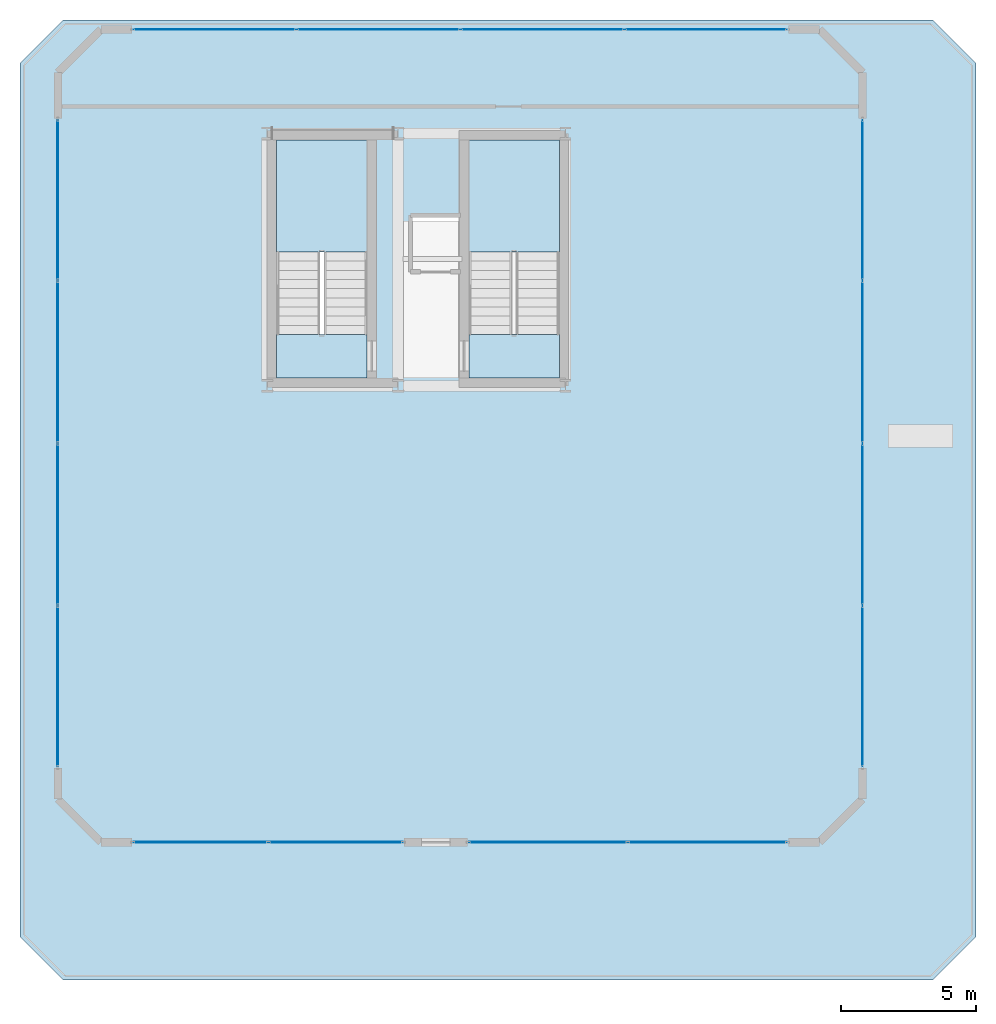
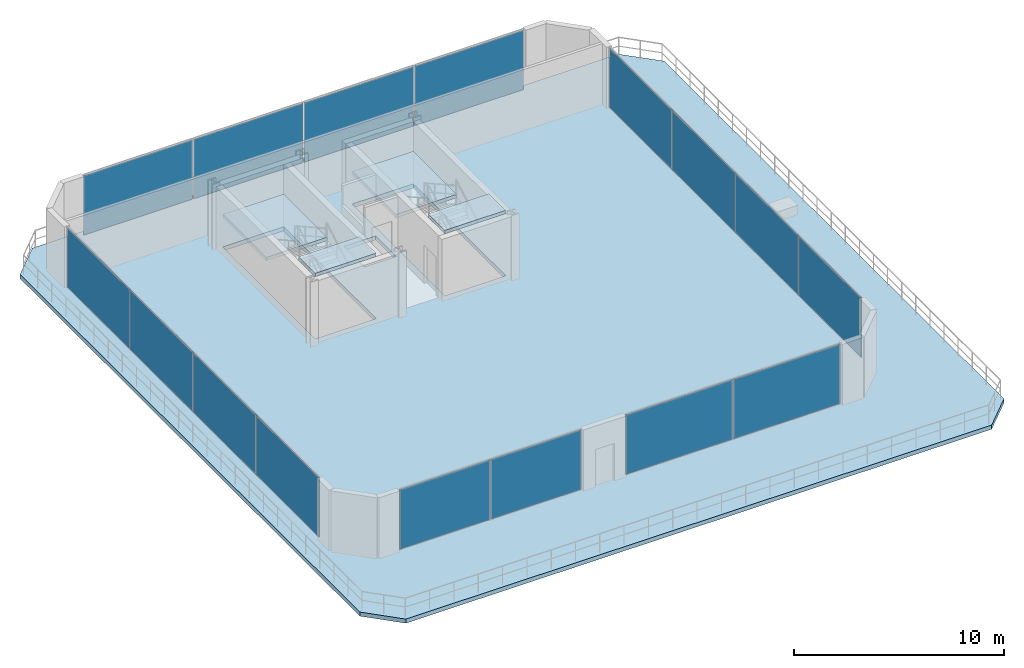
# One storey, part 15 of 19: 16 plates, 5 slabs, 7 elements without a shape of their own.
"""IFC4 building model written with IfcOpenShell, lengths in metres."""

import ifcopenshell
import ifcopenshell.guid

model = None  # the IFC model being written
_history = None  # IfcOwnerHistory: only IFC2X3 demands one
_inside = {}  # id of a spatial element -> (the spatial element, [elements in it])
_under = {}  # id of a project, library or spatial element -> (it, [spatial elements below it])
_declared = {}  # id of a project -> (the project, [libraries it declares])
_typed = {}  # id of a type object -> (the type object, [elements of that type])
_made_of = {}  # id of a material, layer set ... -> (it, [elements and type objects made of it])


def new_model(schema):
    """Start an empty IFC model of exactly this schema.

    Asked for "IFC4X3", IfcOpenShell would pick the latest addendum, in which some entities
    have other attributes; the version numbers below select the first issue.
    IFC2X3 requires an IfcOwnerHistory on every rooted entity: one is made here for all.
    """
    global model, _history
    if schema == "IFC4X3":
        model = ifcopenshell.file(schema_version=(4, 3, 0, 0))
    else:
        model = ifcopenshell.file(schema=schema)
    _inside.clear()
    _under.clear()
    _declared.clear()
    _typed.clear()
    _made_of.clear()
    _history = None
    if model.schema == "IFC2X3":
        org = make("IfcOrganization", Name="unknown")
        user = make(
            "IfcPersonAndOrganization",
            ThePerson=make("IfcPerson", FamilyName="unknown"),
            TheOrganization=org,
        )
        app = make(
            "IfcApplication",
            ApplicationDeveloper=org,
            Version="unknown",
            ApplicationFullName="unknown",
            ApplicationIdentifier="unknown",
        )
        _history = make(
            "IfcOwnerHistory",
            OwningUser=user,
            OwningApplication=app,
            ChangeAction="ADDED",
            CreationDate=0,
        )
    return model


def make(cls, **values):
    """One entity of the class cls with the attributes given. An attribute that is None is left unset."""
    return model.create_entity(
        cls, **{name: value for name, value in values.items() if value is not None}
    )


def rooted(cls, **values):
    """An entity with a GlobalId (a new one), such as an element, a storey or a relation."""
    return make(cls, GlobalId=ifcopenshell.guid.new(), OwnerHistory=_history, **values)


def si_unit(unit_type, name, prefix=None):
    """IfcSIUnit, for example si_unit("LENGTHUNIT", "METRE", prefix="MILLI")."""
    return make("IfcSIUnit", UnitType=unit_type, Prefix=prefix, Name=name)


def assignment(units):
    """IfcUnitAssignment: the units of a project."""
    return None if units is None else make("IfcUnitAssignment", Units=units)


def point(xyz):
    """IfcCartesianPoint."""
    return None if xyz is None else make("IfcCartesianPoint", Coordinates=xyz)


def direction(xyz):
    """IfcDirection."""
    return None if xyz is None else make("IfcDirection", DirectionRatios=xyz)


def frame(location, z_axis=None, x_axis=None):
    """IfcAxis2Placement3D, a coordinate frame: its origin and axes. An axis left out is left unset."""
    return make(
        "IfcAxis2Placement3D",
        Location=point(location),
        Axis=direction(z_axis),
        RefDirection=direction(x_axis),
    )


def frame_2d(location, x_axis=None):
    """IfcAxis2Placement2D, a coordinate frame in the plane: its origin and x axis."""
    return make(
        "IfcAxis2Placement2D", Location=point(location), RefDirection=direction(x_axis)
    )


def origin():
    """The frame at (0, 0, 0) with its axes left unset."""
    return frame((0.0, 0.0, 0.0))


def origin_2d():
    """The frame at (0, 0) in the plane with its x axis left unset."""
    return frame_2d((0.0, 0.0))


def place(relative_to, where):
    """IfcLocalPlacement: puts the frame where relative to a parent placement (None: the world)."""
    return make(
        "IfcLocalPlacement", PlacementRelTo=relative_to, RelativePlacement=where
    )


def context(
    kind, dimensions, precision=None, world=None, true_north=None, identifier=None
):
    """IfcGeometricRepresentationContext, for example the 3D "Model" context."""
    return make(
        "IfcGeometricRepresentationContext",
        ContextIdentifier=identifier,
        ContextType=kind,
        CoordinateSpaceDimension=dimensions,
        Precision=precision,
        WorldCoordinateSystem=world,
        TrueNorth=true_north,
    )


def subcontext(parent, identifier, kind, view, scale=None):
    """IfcGeometricRepresentationSubContext, for example "Body" below "Model"."""
    return make(
        "IfcGeometricRepresentationSubContext",
        ContextIdentifier=identifier,
        ContextType=kind,
        ParentContext=parent,
        TargetScale=scale,
        TargetView=view,
    )


def project(units=None, contexts=None):
    """IfcProject with its units and contexts."""
    return rooted(
        "IfcProject",
        Name="project",
        RepresentationContexts=contexts,
        UnitsInContext=assignment(units),
    )


def spatial(cls, under=None, at=None, **own):
    """A site, building, storey or space (cls), placed at a placement, below another one or the project."""
    s = rooted(cls, ObjectPlacement=at, **own)
    if under is not None:
        _under.setdefault(under.id(), (under, []))[1].append(s)
    return s


def polyline(points):
    """IfcPolyline through the points."""
    return make("IfcPolyline", Points=[point(p) for p in points])


def profile(cls, at=None, kind="AREA", **sizes):
    """A parametric profile (cls). Its sizes go by their IFC names, for example OverallWidth=200.0."""
    return make(cls, ProfileType=kind, Position=at, **sizes)


def rectangle(**sizes):
    """IfcRectangleProfileDef."""
    return profile("IfcRectangleProfileDef", **sizes)


def outline(outer, holes=None, kind="AREA"):
    """IfcArbitraryClosedProfileDef: a profile drawn as a closed curve; with holes, ...WithVoids."""
    if holes is None:
        return make("IfcArbitraryClosedProfileDef", ProfileType=kind, OuterCurve=outer)
    return make(
        "IfcArbitraryProfileDefWithVoids",
        ProfileType=kind,
        OuterCurve=outer,
        InnerCurves=holes,
    )


def extrude(swept, where, along, depth):
    """IfcExtrudedAreaSolid: the profile swept, set in the frame where, extruded along a direction by depth."""
    return make(
        "IfcExtrudedAreaSolid",
        SweptArea=swept,
        Position=where,
        ExtrudedDirection=direction(along),
        Depth=depth,
    )


def shape(context_of_items, identifier, shape_type, items):
    """IfcShapeRepresentation: the items that make up one representation, for example the "Body"."""
    return make(
        "IfcShapeRepresentation",
        ContextOfItems=context_of_items,
        RepresentationIdentifier=identifier,
        RepresentationType=shape_type,
        Items=items,
    )


def material(Name=None, Category=None):
    """IfcMaterial."""
    return make("IfcMaterial", Name=Name, Category=Category)


def layer(
    of_material, thickness, ventilated=None, Name=None, Category=None, Priority=None
):
    """IfcMaterialLayer: one layer of a wall or slab, of a material (None: an air gap)."""
    return make(
        "IfcMaterialLayer",
        Material=of_material,
        LayerThickness=thickness,
        IsVentilated=ventilated,
        Name=Name,
        Category=Category,
        Priority=Priority,
    )


def layer_set(layers, Name=None):
    """IfcMaterialLayerSet."""
    return make("IfcMaterialLayerSet", MaterialLayers=layers, LayerSetName=Name)


def made_of(thing, what):
    """Note that an element or type object is made of a material, layer set ...; save() writes the relation."""
    if what is not None:
        _made_of.setdefault(what.id(), (what, []))[1].append(thing)
    return thing


def type_object(cls, material=None, **own):
    """A type object (cls), such as IfcWallType, which elements share."""
    return made_of(rooted(cls, **own), material)


def element(
    cls,
    number,
    at=None,
    inside=None,
    cuts=None,
    type_object=None,
    material=None,
    context=None,
    identifier="Body",
    shape_type=None,
    held_by="IfcProductDefinitionShape",
    body=None,
    shapes=None,
    **own,
):
    """One element of the class cls, such as IfcWall. Its Tag is "e" and its number.

    at: its placement. inside: the storey or other place that contains it. cuts: it is an
    opening in that element (IfcRelVoidsElement). A single representation is given by context,
    identifier, shape_type and body (its items); several are given by shapes. held_by: the class
    of the entity that holds the representations. save() writes the other relations.
    """
    e = rooted(cls, Tag="e%d" % number, ObjectPlacement=at, **own)
    if body is not None:
        shapes = [shape(context, identifier, shape_type, body)]
    if shapes is not None:
        e.Representation = make(held_by, Representations=shapes)
    if inside is not None:
        _inside.setdefault(inside.id(), (inside, []))[1].append(e)
    if cuts is not None:
        rooted(
            "IfcRelVoidsElement", RelatingBuildingElement=cuts, RelatedOpeningElement=e
        )
    if type_object is not None:
        _typed.setdefault(type_object.id(), (type_object, []))[1].append(e)
    return made_of(e, material)


def aggregate(whole, parts):
    """IfcRelAggregates: a whole, such as a stair, and the parts it consists of."""
    return rooted("IfcRelAggregates", RelatingObject=whole, RelatedObjects=parts)


def save(model, path):
    """Write the relations noted so far, then the file.

    IfcRelAggregates (storeys below a building ...), IfcRelContainedInSpatialStructure (elements
    in a storey), IfcRelDefinesByType, IfcRelAssociatesMaterial and IfcRelDeclares: one each for
    every whole, place, type object, material and project.
    """
    for whole, parts in _under.values():
        aggregate(whole, parts)
    for where, things in _inside.values():
        rooted(
            "IfcRelContainedInSpatialStructure",
            RelatedElements=things,
            RelatingStructure=where,
        )
    for kind, things in _typed.values():
        rooted("IfcRelDefinesByType", RelatedObjects=things, RelatingType=kind)
    for what, things in _made_of.values():
        rooted("IfcRelAssociatesMaterial", RelatedObjects=things, RelatingMaterial=what)
    for by, libraries in _declared.values():
        rooted("IfcRelDeclares", RelatingContext=by, RelatedDefinitions=libraries)
    model.write(path)


model = new_model("IFC4")

# Units and contexts
model_context = context("Model", 3, precision=1e-05, world=origin(), true_north=direction((0.0, 1.0)))
body_context = subcontext(model_context, "Body", "Model", "MODEL_VIEW")
ifc_project = project(units=[si_unit("LENGTHUNIT", "METRE"), si_unit("AREAUNIT", "SQUARE_METRE"), si_unit("VOLUMEUNIT", "CUBIC_METRE"), si_unit("PLANEANGLEUNIT", "RADIAN"), si_unit("MASSUNIT", "GRAM", prefix="KILO")], contexts=[model_context])

# Site, building, storey
site_placement = place(None, origin())
site = spatial("IfcSite", under=ifc_project, at=site_placement, CompositionType="ELEMENT")
building_placement = place(site_placement, origin())
building = spatial("IfcBuilding", under=site, at=building_placement, Name="Zuhayl Quay Hotel", CompositionType="ELEMENT")
storey_placement = place(building_placement, frame((0.0, 0.0, 304.85009765625)))
storey = spatial("IfcBuildingStorey", under=building, at=storey_placement, Name="Crown 3", CompositionType="ELEMENT", Elevation=304.85009765625)

# Curtain wall, plates
ifc_material_1 = material(Name="Anodised Aluminium 6063-T6", Category="aluminium")
ifc_layer_1 = layer(ifc_material_1, 0.159912109375, Name="Anodised Aluminium 6063-T6", Category="aluminium")
ifc_layer_set_1 = layer_set([ifc_layer_1], Name="Anodised Aluminium 6063-T6")
curtain_wall_type = type_object("IfcCurtainWallType", Name="CW_SYS_CRN", PredefinedType="USERDEFINED", material=ifc_layer_set_1)
curtain_wall_1_placement = place(storey_placement, origin())
curtain_wall_1 = element("IfcCurtainWall", 1, at=curtain_wall_1_placement, inside=storey, type_object=curtain_wall_type, Name="Crown 3 Curtain Wall ENV_CR3_E1_CW1", ObjectType="UNITISED CURTAIN WALL", PredefinedType="USERDEFINED")
ifc_material_2 = material(Name="Spandrel Fritted Solar Glass", Category="glass")
ifc_layer_2 = layer(ifc_material_2, 0.028076171875, Name="Spandrel Fritted Solar Glass", Category="glass")
ifc_layer_set_2 = layer_set([ifc_layer_2], Name="Spandrel Fritted Solar Glass")
plate_type = type_object("IfcPlateType", Name="PN_CROWN_SCREEN", PredefinedType="CURTAIN_PANEL", material=ifc_layer_set_2)
plate_1_placement = place(storey_placement, frame((-17.199951171875, 13.97119140625, 0.0546875), z_axis=(0.0, 0.0, 1.0), x_axis=(0.0, 1.0, 0.0)))
plate_1 = element("IfcPlate", 2, at=plate_1_placement, type_object=plate_type, Name="CW-CRN panel 1.1", PredefinedType="CURTAIN_PANEL", context=body_context, shape_type="SweptSolid", body=[
    extrude(rectangle(XDim=5.922607421875, YDim=0.028076171875, at=origin_2d()), origin(), (0.0, 0.0, 1.0), 3.449951171875),
])
plate_2_placement = place(storey_placement, frame((-17.199951171875, 19.96875, 0.0546875), z_axis=(0.0, 0.0, 1.0), x_axis=(0.0, 1.0, 0.0)))
plate_2 = element("IfcPlate", 3, at=plate_2_placement, type_object=plate_type, Name="CW-CRN panel 2.1", PredefinedType="CURTAIN_PANEL", context=body_context, shape_type="SweptSolid", body=[
    extrude(rectangle(XDim=5.952392578125, YDim=0.028076171875, at=origin_2d()), origin(), (0.0, 0.0, 1.0), 3.449951171875),
])
plate_3_placement = place(storey_placement, frame((-17.199951171875, 25.981201171875, 0.0546875), z_axis=(0.0, 0.0, 1.0), x_axis=(0.0, 1.0, 0.0)))
plate_3 = element("IfcPlate", 4, at=plate_3_placement, type_object=plate_type, Name="CW-CRN panel 3.1", PredefinedType="CURTAIN_PANEL", context=body_context, shape_type="SweptSolid", body=[
    extrude(rectangle(XDim=5.952392578125, YDim=0.028076171875, at=origin_2d()), origin(), (0.0, 0.0, 1.0), 3.449951171875),
])
plate_4_placement = place(storey_placement, frame((-17.199951171875, 31.978759765625, 0.0546875), z_axis=(0.0, 0.0, 1.0), x_axis=(0.0, 1.0, 0.0)))
plate_4 = element("IfcPlate", 5, at=plate_4_placement, type_object=plate_type, Name="CW-CRN panel 4.1", PredefinedType="CURTAIN_PANEL", context=body_context, shape_type="SweptSolid", body=[
    extrude(rectangle(XDim=5.922607421875, YDim=0.028076171875, at=origin_2d()), origin(), (0.0, 0.0, 1.0), 3.449951171875),
])
aggregate(curtain_wall_1, [plate_1, plate_2, plate_3, plate_4])

curtain_wall_2_placement = place(storey_placement, origin())
curtain_wall_2 = element("IfcCurtainWall", 6, at=curtain_wall_2_placement, inside=storey, type_object=curtain_wall_type, Name="Crown 3 Curtain Wall ENV_CR3_E3_CW1", ObjectType="UNITISED CURTAIN WALL", PredefinedType="USERDEFINED")
plate_5_placement = place(storey_placement, frame((-11.3974609375, 38.300048828125, 0.0546875), z_axis=(0.0, 0.0, 1.0), x_axis=(1.0, 0.0, 0.0)))
plate_5 = element("IfcPlate", 7, at=plate_5_placement, type_object=plate_type, Name="CW-CRN panel 1.1", PredefinedType="CURTAIN_PANEL", context=body_context, shape_type="SweptSolid", body=[
    extrude(rectangle(XDim=5.985107421875, YDim=0.028076171875, at=origin_2d()), origin(), (0.0, 0.0, 1.0), 3.449951171875),
])
plate_6_placement = place(storey_placement, frame((-5.33740234375, 38.300048828125, 0.0546875), z_axis=(0.0, 0.0, 1.0), x_axis=(1.0, 0.0, 0.0)))
plate_6 = element("IfcPlate", 8, at=plate_6_placement, type_object=plate_type, Name="CW-CRN panel 2.1", PredefinedType="CURTAIN_PANEL", context=body_context, shape_type="SweptSolid", body=[
    extrude(rectangle(XDim=6.014892578125, YDim=0.028076171875, at=origin_2d()), origin(), (0.0, 0.0, 1.0), 3.449951171875),
])
plate_7_placement = place(storey_placement, frame((0.737548828125, 38.300048828125, 0.0546875), z_axis=(0.0, 0.0, 1.0), x_axis=(1.0, 0.0, 0.0)))
plate_7 = element("IfcPlate", 9, at=plate_7_placement, type_object=plate_type, Name="CW-CRN panel 3.1", PredefinedType="CURTAIN_PANEL", context=body_context, shape_type="SweptSolid", body=[
    extrude(rectangle(XDim=6.014892578125, YDim=0.028076171875, at=origin_2d()), origin(), (0.0, 0.0, 1.0), 3.449951171875),
])
plate_8_placement = place(storey_placement, frame((6.797607421875, 38.300048828125, 0.0546875), z_axis=(0.0, 0.0, 1.0), x_axis=(1.0, 0.0, 0.0)))
plate_8 = element("IfcPlate", 10, at=plate_8_placement, type_object=plate_type, Name="CW-CRN panel 4.1", PredefinedType="CURTAIN_PANEL", context=body_context, shape_type="SweptSolid", body=[
    extrude(rectangle(XDim=5.985107421875, YDim=0.028076171875, at=origin_2d()), origin(), (0.0, 0.0, 1.0), 3.449951171875),
])
aggregate(curtain_wall_2, [plate_5, plate_6, plate_7, plate_8])

curtain_wall_3_placement = place(storey_placement, origin())
curtain_wall_3 = element("IfcCurtainWall", 11, at=curtain_wall_3_placement, inside=storey, type_object=curtain_wall_type, Name="Crown 3 Curtain Wall ENV_CR3_E5_CW1", ObjectType="UNITISED CURTAIN WALL", PredefinedType="USERDEFINED")
plate_9_placement = place(storey_placement, frame((12.60009765625, 31.978759765625, 0.0546875), z_axis=(0.0, 0.0, 1.0), x_axis=(0.0, -1.0, 0.0)))
plate_9 = element("IfcPlate", 12, at=plate_9_placement, type_object=plate_type, Name="CW-CRN panel 1.1", PredefinedType="CURTAIN_PANEL", context=body_context, shape_type="SweptSolid", body=[
    extrude(rectangle(XDim=5.922607421875, YDim=0.028076171875, at=origin_2d()), origin(), (0.0, 0.0, 1.0), 3.449951171875),
])
plate_10_placement = place(storey_placement, frame((12.60009765625, 25.981201171875, 0.0546875), z_axis=(0.0, 0.0, 1.0), x_axis=(0.0, -1.0, 0.0)))
plate_10 = element("IfcPlate", 13, at=plate_10_placement, type_object=plate_type, Name="CW-CRN panel 2.1", PredefinedType="CURTAIN_PANEL", context=body_context, shape_type="SweptSolid", body=[
    extrude(rectangle(XDim=5.952392578125, YDim=0.028076171875, at=origin_2d()), origin(), (0.0, 0.0, 1.0), 3.449951171875),
])
plate_11_placement = place(storey_placement, frame((12.60009765625, 19.96875, 0.0546875), z_axis=(0.0, 0.0, 1.0), x_axis=(0.0, -1.0, 0.0)))
plate_11 = element("IfcPlate", 14, at=plate_11_placement, type_object=plate_type, Name="CW-CRN panel 3.1", PredefinedType="CURTAIN_PANEL", context=body_context, shape_type="SweptSolid", body=[
    extrude(rectangle(XDim=5.952392578125, YDim=0.028076171875, at=origin_2d()), origin(), (0.0, 0.0, 1.0), 3.449951171875),
])
plate_12_placement = place(storey_placement, frame((12.60009765625, 13.97119140625, 0.0546875), z_axis=(0.0, 0.0, 1.0), x_axis=(0.0, -1.0, 0.0)))
plate_12 = element("IfcPlate", 15, at=plate_12_placement, type_object=plate_type, Name="CW-CRN panel 4.1", PredefinedType="CURTAIN_PANEL", context=body_context, shape_type="SweptSolid", body=[
    extrude(rectangle(XDim=5.922607421875, YDim=0.028076171875, at=origin_2d()), origin(), (0.0, 0.0, 1.0), 3.449951171875),
])
aggregate(curtain_wall_3, [plate_9, plate_10, plate_11, plate_12])

curtain_wall_4_placement = place(storey_placement, origin())
curtain_wall_4 = element("IfcCurtainWall", 16, at=curtain_wall_4_placement, inside=storey, type_object=curtain_wall_type, Name="Crown 3 Curtain Wall ENV_CR3_E7_CW1", ObjectType="UNITISED CURTAIN WALL", PredefinedType="USERDEFINED")
plate_13_placement = place(storey_placement, frame((6.8662109375, 8.199951171875, 0.0546875), z_axis=(0.0, 0.0, 1.0), x_axis=(-1.0, 0.0, 0.0)))
plate_13 = element("IfcPlate", 17, at=plate_13_placement, type_object=plate_type, Name="CW-CRN panel 1.1", PredefinedType="CURTAIN_PANEL", context=body_context, shape_type="SweptSolid", body=[
    extrude(rectangle(XDim=5.847412109375, YDim=0.028076171875, at=origin_2d()), origin(), (0.0, 0.0, 1.0), 3.449951171875),
])
plate_14_placement = place(storey_placement, frame((0.958740234375, 8.199951171875, 0.0546875), z_axis=(0.0, 0.0, 1.0), x_axis=(-1.0, 0.0, 0.0)))
plate_14 = element("IfcPlate", 18, at=plate_14_placement, type_object=plate_type, Name="CW-CRN panel 2.1", PredefinedType="CURTAIN_PANEL", context=body_context, shape_type="SweptSolid", body=[
    extrude(rectangle(XDim=5.847412109375, YDim=0.028076171875, at=origin_2d()), origin(), (0.0, 0.0, 1.0), 3.449951171875),
])
aggregate(curtain_wall_4, [plate_13, plate_14])

curtain_wall_5_placement = place(storey_placement, origin())
curtain_wall_5 = element("IfcCurtainWall", 19, at=curtain_wall_5_placement, inside=storey, type_object=curtain_wall_type, Name="Crown 3 Curtain Wall ENV_CR3_E7_CW2", ObjectType="UNITISED CURTAIN WALL", PredefinedType="USERDEFINED")
plate_15_placement = place(storey_placement, frame((-6.90869140625, 8.199951171875, 0.0546875), z_axis=(0.0, 0.0, 1.0), x_axis=(-1.0, 0.0, 0.0)))
plate_15 = element("IfcPlate", 20, at=plate_15_placement, type_object=plate_type, Name="CW-CRN panel 1.1", PredefinedType="CURTAIN_PANEL", context=body_context, shape_type="SweptSolid", body=[
    extrude(rectangle(XDim=4.947509765625, YDim=0.028076171875, at=origin_2d()), origin(), (0.0, 0.0, 1.0), 3.449951171875),
])
plate_16_placement = place(storey_placement, frame((-11.916259765625, 8.199951171875, 0.0546875), z_axis=(0.0, 0.0, 1.0), x_axis=(-1.0, 0.0, 0.0)))
plate_16 = element("IfcPlate", 21, at=plate_16_placement, type_object=plate_type, Name="CW-CRN panel 2.1", PredefinedType="CURTAIN_PANEL", context=body_context, shape_type="SweptSolid", body=[
    extrude(rectangle(XDim=4.947509765625, YDim=0.028076171875, at=origin_2d()), origin(), (0.0, 0.0, 1.0), 3.449951171875),
])
aggregate(curtain_wall_5, [plate_15, plate_16])

# Slab
ifc_material_3 = material(Name="Concrete C45/55", Category="concrete")
ifc_layer_3 = layer(ifc_material_3, 0.239990234375, Name="Concrete C45/55", Category="concrete")
ifc_layer_set_3 = layer_set([ifc_layer_3], Name="Concrete C45/55")
slab_type_1 = type_object("IfcSlabType", Name="SL_CROWN_ROOF_240", PredefinedType="ROOF", material=ifc_layer_set_3)
slab_1_placement = place(storey_placement, frame((0.0, 0.0, -0.239990234375)))
element("IfcSlab", 22, at=slab_1_placement, inside=storey, type_object=slab_type_1, Name="Crown 3 Stepped Crown Terrace and Roof Slab", PredefinedType="ROOF", context=body_context, shape_type="SweptSolid", body=[
    extrude(outline(polyline([(-17.0, 3.10009765625), (15.199951171875, 3.10009765625), (16.800048828125, 4.699951171875), (16.800048828125, 37.050048828125), (15.199951171875, 38.64990234375), (-17.0, 38.64990234375), (-18.60009765625, 37.050048828125), (-18.60009765625, 4.699951171875), (-17.0, 3.10009765625)]), holes=[polyline([(-5.75, 25.39990234375), (-5.75, 34.199951171875), (-9.10009765625, 34.199951171875), (-9.10009765625, 25.39990234375), (-5.75, 25.39990234375)]), polyline([(1.3701171875, 25.39990234375), (1.3701171875, 34.199951171875), (-1.97998046875, 34.199951171875), (-1.97998046875, 25.39990234375), (1.3701171875, 25.39990234375)]), polyline([(-4.080078125, 29.39990234375), (-2.340087890625, 29.39990234375), (-2.340087890625, 31.35009765625), (-4.080078125, 31.35009765625), (-4.080078125, 29.39990234375)])]), origin(), (0.0, 0.0, 1.0), 0.239990234375),
])

# Stair, slabs
stair_type = type_object("IfcStairType", Name="ST_DOGLEG_PODIUM", PredefinedType="HALF_TURN_STAIR", material=ifc_material_3)
stair_1_placement = place(storey_placement, origin())
stair_1 = element("IfcStair", 23, at=stair_1_placement, inside=storey, type_object=stair_type, Name="Crown 3 Smokeproof Exit Stair ST5", PredefinedType="HALF_TURN_STAIR")
ifc_layer_4 = layer(ifc_material_3, 0.199951171875, Name="Concrete C45/55", Category="concrete")
ifc_layer_set_4 = layer_set([ifc_layer_4], Name="Concrete C45/55")
slab_type_2 = type_object("IfcSlabType", Name="SL_STAIR_LANDING_200", PredefinedType="LANDING", material=ifc_layer_set_4)
slab_2_placement = place(storey_placement, frame((0.0, 0.0, 1.699951171875)))
slab_2 = element("IfcSlab", 24, at=slab_2_placement, type_object=slab_type_2, Name="ST5 landing 1", PredefinedType="LANDING", context=body_context, shape_type="SweptSolid", body=[
    extrude(outline(polyline([(-5.75, 30.06005859375), (-5.75, 34.199951171875), (-9.10009765625, 34.199951171875), (-9.10009765625, 30.06005859375), (-5.75, 30.06005859375)])), origin(), (0.0, 0.0, 1.0), 0.199951171875),
])
slab_3_placement = place(storey_placement, frame((0.0, 0.0, 3.599853515625)))
slab_3 = element("IfcSlab", 25, at=slab_3_placement, type_object=slab_type_2, Name="ST5 landing 2", PredefinedType="LANDING", context=body_context, shape_type="SweptSolid", body=[
    extrude(outline(polyline([(-5.75, 25.39990234375), (-5.75, 27.0), (-9.10009765625, 27.0), (-9.10009765625, 25.39990234375), (-5.75, 25.39990234375)])), origin(), (0.0, 0.0, 1.0), 0.199951171875),
])
aggregate(stair_1, [slab_2, slab_3])

stair_2_placement = place(storey_placement, origin())
stair_2 = element("IfcStair", 26, at=stair_2_placement, inside=storey, type_object=stair_type, Name="Crown 3 Smokeproof Exit Stair ST6", PredefinedType="HALF_TURN_STAIR")
slab_4_placement = place(storey_placement, frame((0.0, 0.0, 1.699951171875)))
slab_4 = element("IfcSlab", 27, at=slab_4_placement, type_object=slab_type_2, Name="ST6 landing 1", PredefinedType="LANDING", context=body_context, shape_type="SweptSolid", body=[
    extrude(outline(polyline([(1.3701171875, 30.06005859375), (1.3701171875, 34.199951171875), (-1.97998046875, 34.199951171875), (-1.97998046875, 30.06005859375), (1.3701171875, 30.06005859375)])), origin(), (0.0, 0.0, 1.0), 0.199951171875),
])
slab_5_placement = place(storey_placement, frame((0.0, 0.0, 3.599853515625)))
slab_5 = element("IfcSlab", 28, at=slab_5_placement, type_object=slab_type_2, Name="ST6 landing 2", PredefinedType="LANDING", context=body_context, shape_type="SweptSolid", body=[
    extrude(outline(polyline([(1.3701171875, 25.39990234375), (1.3701171875, 27.0), (-1.97998046875, 27.0), (-1.97998046875, 25.39990234375), (1.3701171875, 25.39990234375)])), origin(), (0.0, 0.0, 1.0), 0.199951171875),
])
aggregate(stair_2, [slab_4, slab_5])

save(model, "model.ifc")
